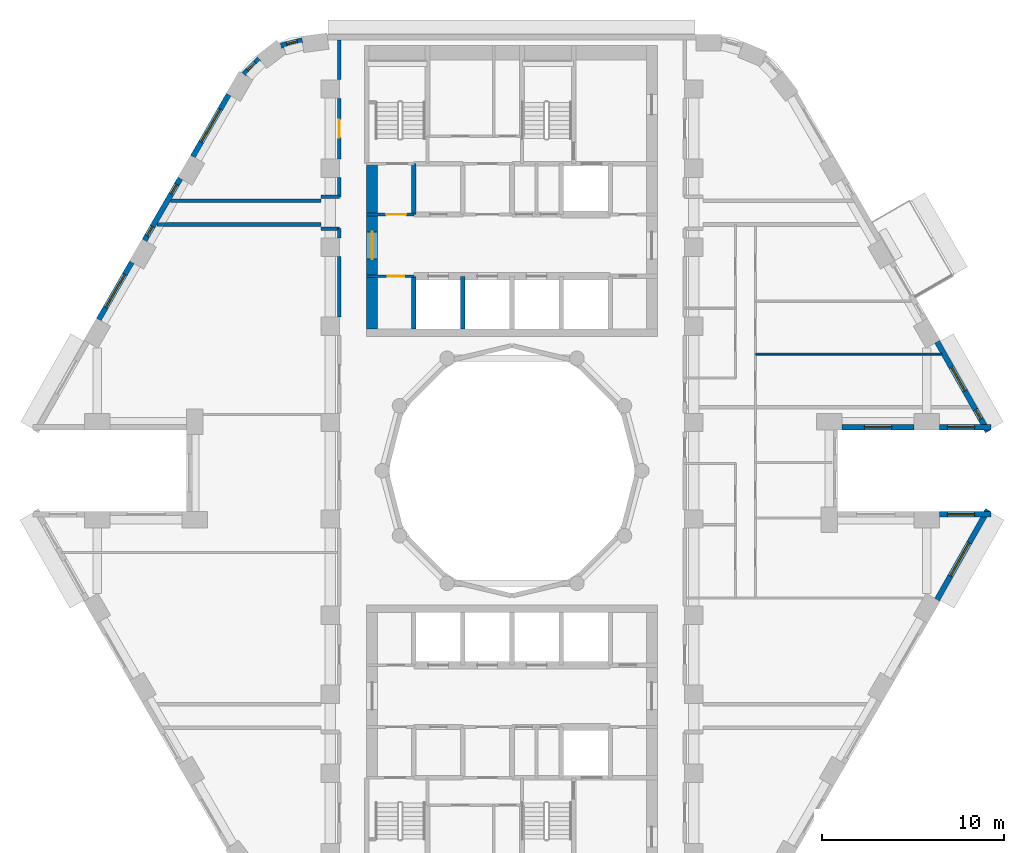
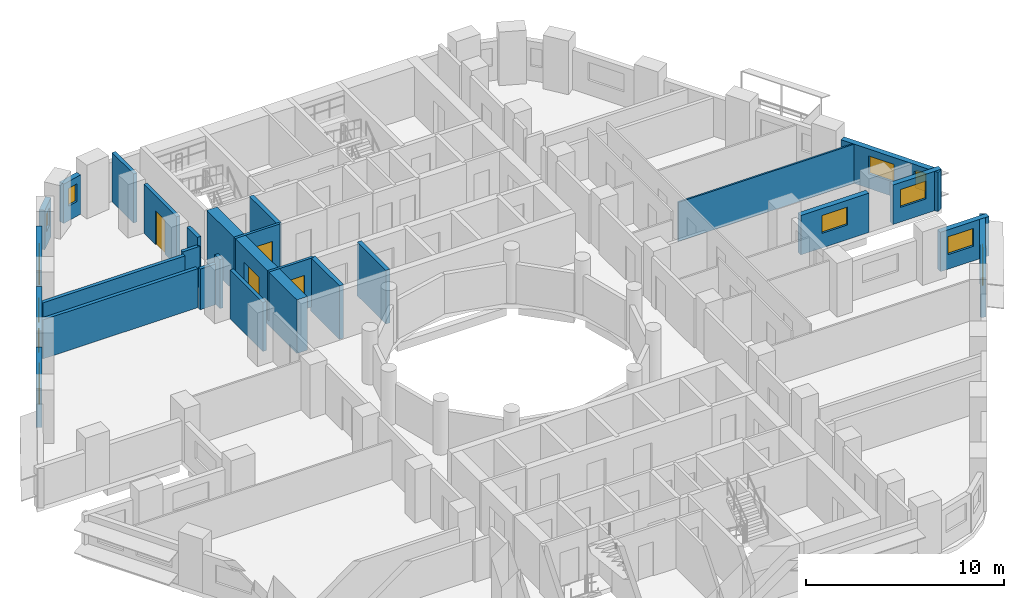
# One storey, part 6 of 13: 26 walls, 12 windows, 4 doors, 16 openings.
"""IFC4 building model written with IfcOpenShell, lengths in metres."""

from ifc_helpers import new_model, si_unit, direction, frame, frame_2d, origin, place, context, subcontext, project, spatial, rectangle, extrude, material, layer, layer_set, type_object, element, fill, save


model = new_model("IFC4")

# Units and contexts
model_context = context("Model", 3, precision=1e-05, world=origin(), true_north=direction((0.0, 1.0)))
body_context = subcontext(model_context, "Body", "Model", "MODEL_VIEW")
ifc_project = project(units=[si_unit("LENGTHUNIT", "METRE"), si_unit("AREAUNIT", "SQUARE_METRE"), si_unit("VOLUMEUNIT", "CUBIC_METRE"), si_unit("PLANEANGLEUNIT", "RADIAN"), si_unit("MASSUNIT", "GRAM", prefix="KILO")], contexts=[model_context])

# Site, building, storey
site_placement = place(None, origin())
site = spatial("IfcSite", under=ifc_project, at=site_placement, CompositionType="ELEMENT")
building_placement = place(site_placement, origin())
building = spatial("IfcBuilding", under=site, at=building_placement, Name="Nakaniwa Court", CompositionType="ELEMENT")
storey_placement = place(building_placement, frame((0.0, 0.0, 84.300048828125)))
storey = spatial("IfcBuildingStorey", under=building, at=storey_placement, Name="L21", CompositionType="ELEMENT", Elevation=84.300048828125)

# Walls
ifc_material_1 = material(Name="Acoustic double stud partition")
ifc_layer_1 = layer(ifc_material_1, 0.199951171875)
ifc_layer_set_1 = layer_set([ifc_layer_1], Name="Acoustic double stud partition")
wall_type_1 = type_object("IfcWallType", Name="Acoustic double stud partition 200", PredefinedType="PARTITIONING", material=ifc_layer_set_1)
wall_1_placement = place(storey_placement, frame((60.456787109375, 93.550048828125, 0.0), z_axis=(0.0, 0.0, 1.0), x_axis=(1.0, 0.0, 0.0)))
element("IfcWall", 1, at=wall_1_placement, inside=storey, type_object=wall_type_1, Name="Partition PW-081", PredefinedType="PARTITIONING", context=body_context, shape_type="SweptSolid", body=[
    extrude(rectangle(XDim=9.043212890625, YDim=0.199951171875, at=frame_2d((4.521484375, 0.0))), origin(), (0.0, 0.0, 1.0), 2.405029296875),
])
for number, where, z_axis, x_axis, name in (
    (2, (69.5, 93.324951171875, 0.0), (0.0, 0.0, 1.0), (1.0, 0.0, 0.0), "Partition PW-083"),
    (3, (69.5, 95.074951171875, 0.0), (0.0, 0.0, 1.0), (1.0, 0.0, 0.0), "Partition PW-085"),
):
    element("IfcWall", number, at=place(storey_placement, frame(where, z_axis=z_axis, x_axis=x_axis)), inside=storey, type_object=wall_type_1, Name=name, PredefinedType="PARTITIONING", context=body_context, shape_type="SweptSolid", body=[
        extrude(rectangle(XDim=1.0, YDim=0.199951171875, at=frame_2d((0.5, 0.0))), origin(), (0.0, 0.0, 1.0), 2.5048828125),
    ])
wall_2_placement = place(storey_placement, frame((61.207275390625, 94.85009765625, 0.0), z_axis=(0.0, 0.0, 1.0), x_axis=(1.0, 0.0, 0.0)))
element("IfcWall", 4, at=wall_2_placement, inside=storey, type_object=wall_type_1, Name="Partition PW-087", PredefinedType="PARTITIONING", context=body_context, shape_type="SweptSolid", body=[
    extrude(rectangle(XDim=8.292724609375, YDim=0.199951171875, at=frame_2d((4.146484375, 0.0))), origin(), (0.0, 0.0, 1.0), 2.405029296875),
])
wall_3_placement = place(storey_placement, frame((70.5, 88.467041015625, 0.0), z_axis=(0.0, 0.0, 1.0), x_axis=(0.0, 1.0, 0.0)))
element("IfcWall", 5, at=wall_3_placement, inside=storey, type_object=wall_type_1, Name="Partition PW-102", PredefinedType="PARTITIONING", context=body_context, shape_type="SweptSolid", body=[
    extrude(rectangle(XDim=3.31591796875, YDim=0.199951171875, at=frame_2d((1.657958984375, 0.0))), origin(), (0.0, 0.0, 1.0), 3.02490234375),
])
wall_4_placement = place(storey_placement, frame((70.5, 92.81689453125, 0.0), z_axis=(0.0, 0.0, 1.0), x_axis=(0.0, 1.0, 0.0)))
element("IfcWall", 6, at=wall_4_placement, inside=storey, type_object=wall_type_1, Name="Partition PW-103", PredefinedType="PARTITIONING", context=body_context, shape_type="SweptSolid", body=[
    extrude(rectangle(XDim=0.510986328125, YDim=0.199951171875, at=frame_2d((0.25537109375, 0.0))), origin(), (0.0, 0.0, 1.0), 3.02490234375),
])
wall_5_placement = place(storey_placement, frame((70.5, 95.072021484375, 0.0), z_axis=(0.0, 0.0, 1.0), x_axis=(0.0, 1.0, 0.0)))
element("IfcWall", 7, at=wall_5_placement, inside=storey, type_object=wall_type_1, Name="Partition PW-104", PredefinedType="PARTITIONING", context=body_context, shape_type="SweptSolid", body=[
    extrude(rectangle(XDim=1.06103515625, YDim=0.199951171875, at=frame_2d((0.530517578125, 0.0))), origin(), (0.0, 0.0, 1.0), 3.02490234375),
])

# Wall, opening, door
wall_6_placement = place(storey_placement, frame((70.5, 97.1669921875, 0.0), z_axis=(0.0, 0.0, 1.0), x_axis=(0.0, 1.0, 0.0)))
wall_6 = element("IfcWall", 8, at=wall_6_placement, inside=storey, type_object=wall_type_1, Name="Partition PW-105", PredefinedType="PARTITIONING", context=body_context, shape_type="SweptSolid", body=[
    extrude(rectangle(XDim=3.31591796875, YDim=0.199951171875, at=frame_2d((1.657958984375, 0.0))), origin(), (0.0, 0.0, 1.0), 3.02490234375),
])
opening_1_placement = place(wall_6_placement, frame((1.157958984375, 0.0, 0.0)))
opening_1 = element("IfcOpeningElement", 9, at=opening_1_placement, cuts=wall_6, Name="Opening D-02-07", PredefinedType="OPENING", context=body_context, shape_type="SweptSolid", body=[
    extrude(rectangle(XDim=1.0, YDim=2.10009765625, at=frame_2d((0.5, 1.050048828125))), frame((0.0, 0.10986328125, 0.0), z_axis=(0.0, -1.0, 0.0), x_axis=(1.0, 0.0, 0.0)), (0.0, 0.0, 1.0), 0.219970703125),
])
ifc_material_2 = material(Name="Solid core timber door set, black veneer", Category="wood")
door_type_1 = type_object("IfcDoorType", Name="Internal door 1000", OperationType="NOTDEFINED", PredefinedType="DOOR", material=ifc_material_2)
door_1_placement = place(opening_1_placement, origin())
door_1 = element("IfcDoor", 10, at=door_1_placement, inside=storey, type_object=door_type_1, Name="Door D-02-07 L21-045", OperationType="SINGLE_SWING_RIGHT", OverallHeight=2.10009765625, OverallWidth=1.0, PredefinedType="DOOR", context=body_context, shape_type="SweptSolid", body=[
    extrude(rectangle(XDim=1.0, YDim=2.10009765625, at=frame_2d((0.5, 1.050048828125))), frame((0.0, 0.02490234375, 0.0), z_axis=(0.0, -1.0, 0.0), x_axis=(1.0, 0.0, 0.0)), (0.0, 0.0, 1.0), 0.050048828125),
])
fill(opening_1, door_1)

# Wall
wall_7_placement = place(storey_placement, frame((70.5, 101.51708984375, 0.0), z_axis=(0.0, 0.0, 1.0), x_axis=(0.0, 1.0, 0.0)))
element("IfcWall", 11, at=wall_7_placement, inside=storey, type_object=wall_type_1, Name="Partition PW-106", PredefinedType="PARTITIONING", context=body_context, shape_type="SweptSolid", body=[
    extrude(rectangle(XDim=2.182861328125, YDim=0.199951171875, at=frame_2d((1.09130859375, 0.0))), origin(), (0.0, 0.0, 1.0), 3.02490234375),
])

# Wall, opening, window
ifc_material_3 = material(Name="Charcoal ceramic cladding")
ifc_layer_2 = layer(ifc_material_3, 0.02, Name="Ceramic cladding")
ifc_material_4 = material(Name="Ventilated air cavity")
ifc_layer_3 = layer(ifc_material_4, 0.04, ventilated=True, Name="Ventilated cavity")
ifc_material_5 = material(Name="Mineral wool insulation")
ifc_layer_4 = layer(ifc_material_5, 0.1, Name="Insulation")
ifc_material_6 = material(Name="Cement bonded sheathing board")
ifc_layer_5 = layer(ifc_material_6, 0.012, Name="Sheathing")
ifc_material_7 = material(Name="Cold-formed galvanised stud frame with mineral wool infill")
ifc_layer_6 = layer(ifc_material_7, 0.1, Name="Stud frame")
ifc_material_8 = material(Name="Fire-rated gypsum plasterboard lining")
ifc_layer_7 = layer(ifc_material_8, 0.028, Name="Lining")
ifc_layer_set_2 = layer_set([ifc_layer_2, ifc_layer_3, ifc_layer_4, ifc_layer_5, ifc_layer_6, ifc_layer_7], Name="Charcoal ceramic faced external wall system")
wall_type_2 = type_object("IfcWallType", Name="Black ceramic faced external wall 300", PredefinedType="SOLIDWALL", material=ifc_layer_set_2)
wall_8_placement = place(storey_placement, frame((98.154296875, 82.39990234375, 0.0), z_axis=(0.0, 0.0, 1.0), x_axis=(1.0, 0.0, 0.0)))
wall_8 = element("IfcWall", 12, at=wall_8_placement, inside=storey, type_object=wall_type_2, Name="L21 external wall 00", PredefinedType="SOLIDWALL", context=body_context, shape_type="SweptSolid", body=[
    extrude(rectangle(XDim=3.97265625, YDim=0.300048828125, at=frame_2d((1.986328125, 0.0))), origin(), (0.0, 0.0, 1.0), 2.425048828125),
])
opening_2_placement = place(wall_8_placement, frame((1.236328125, 0.0, 0.89990234375)))
opening_2 = element("IfcOpeningElement", 13, at=opening_2_placement, cuts=wall_8, Name="Opening W5.01", PredefinedType="OPENING", context=body_context, shape_type="SweptSolid", body=[
    extrude(rectangle(XDim=1.5, YDim=1.10009765625, at=frame_2d((0.75, 0.550048828125))), frame((0.0, 0.159912109375, 0.0), z_axis=(0.0, -1.0, 0.0), x_axis=(1.0, 0.0, 0.0)), (0.0, 0.0, 1.0), 0.320068359375),
])
ifc_material_9 = material(Name="Black anodised aluminium frame with dark low-E laminated double glazing", Category="aluminium")
window_type_1 = type_object("IfcWindowType", Name="Dark glass window 1500x1100 sill 900", PartitioningType="SINGLE_PANEL", PredefinedType="WINDOW", material=ifc_material_9)
window_1_placement = place(opening_2_placement, origin())
window_1 = element("IfcWindow", 14, at=window_1_placement, inside=storey, type_object=window_type_1, Name="L21 bedroom window 00-0", OverallHeight=1.10009765625, OverallWidth=1.5, PartitioningType="SINGLE_PANEL", PredefinedType="WINDOW", context=body_context, shape_type="SweptSolid", body=[
    extrude(rectangle(XDim=1.5, YDim=1.10009765625, at=frame_2d((0.75, 0.550048828125))), frame((0.0, 0.030029296875, 0.0), z_axis=(0.0, -1.0, 0.0), x_axis=(1.0, 0.0, 0.0)), (0.0, 0.0, 1.0), 0.06005859375),
])
fill(opening_2, window_1)

wall_9_placement = place(storey_placement, frame((103.518798828125, 82.39990234375, 0.0), z_axis=(0.0, 0.0, 1.0), x_axis=(1.0, 0.0, 0.0)))
wall_9 = element("IfcWall", 15, at=wall_9_placement, inside=storey, type_object=wall_type_2, Name="L21 external wall 01", PredefinedType="SOLIDWALL", context=body_context, shape_type="SweptSolid", body=[
    extrude(rectangle(XDim=2.837890625, YDim=0.300048828125, at=frame_2d((1.4189453125, 0.0))), origin(), (0.0, 0.0, 1.0), 2.425048828125),
])
opening_3_placement = place(wall_9_placement, frame((0.44384765625, 0.0, 0.89990234375)))
opening_3 = element("IfcOpeningElement", 16, at=opening_3_placement, cuts=wall_9, Name="Opening W5.02", PredefinedType="OPENING", context=body_context, shape_type="SweptSolid", body=[
    extrude(rectangle(XDim=1.5, YDim=1.10009765625, at=frame_2d((0.75, 0.550048828125))), frame((0.0, 0.159912109375, 0.0), z_axis=(0.0, -1.0, 0.0), x_axis=(1.0, 0.0, 0.0)), (0.0, 0.0, 1.0), 0.320068359375),
])
window_2_placement = place(opening_3_placement, origin())
window_2 = element("IfcWindow", 17, at=window_2_placement, inside=storey, type_object=window_type_1, Name="L21 bedroom window 01-0", OverallHeight=1.10009765625, OverallWidth=1.5, PartitioningType="SINGLE_PANEL", PredefinedType="WINDOW", context=body_context, shape_type="SweptSolid", body=[
    extrude(rectangle(XDim=1.5, YDim=1.10009765625, at=frame_2d((0.75, 0.550048828125))), frame((0.0, 0.030029296875, 0.0), z_axis=(0.0, -1.0, 0.0), x_axis=(1.0, 0.0, 0.0)), (0.0, 0.0, 1.0), 0.06005859375),
])
fill(opening_3, window_2)

# Wall, openings, windows
wall_10_placement = place(storey_placement, frame((106.18603515625, 82.1533203125, 0.0), z_axis=(0.0, 0.0, 1.0), x_axis=(-0.492456858874, 0.870336855561, 0.0)))
wall_10 = element("IfcWall", 18, at=wall_10_placement, inside=storey, type_object=wall_type_2, Name="L21 external wall 02", PredefinedType="SOLIDWALL", context=body_context, shape_type="SweptSolid", body=[
    extrude(rectangle(XDim=5.676513671875, YDim=0.300048828125, at=frame_2d((2.83837890625, 0.0))), origin(), (0.0, 0.0, 1.0), 2.425048828125),
])
opening_4_placement = place(wall_10_placement, frame((0.797607421875, 0.0, 0.89990234375)))
opening_4 = element("IfcOpeningElement", 19, at=opening_4_placement, cuts=wall_10, Name="Opening W8.03", PredefinedType="OPENING", context=body_context, shape_type="SweptSolid", body=[
    extrude(rectangle(XDim=0.60009765625, YDim=1.10009765625, at=frame_2d((0.300048828125, 0.550048828125))), frame((0.0, 0.159912109375, 0.0), z_axis=(0.0, -1.0, 0.0), x_axis=(1.0, 0.0, 0.0)), (0.0, 0.0, 1.0), 0.320068359375),
])
opening_5_placement = place(wall_10_placement, frame((2.569580078125, 0.0, 0.89990234375)))
opening_5 = element("IfcOpeningElement", 20, at=opening_5_placement, cuts=wall_10, Name="Opening W5.04", PredefinedType="OPENING", context=body_context, shape_type="SweptSolid", body=[
    extrude(rectangle(XDim=1.5, YDim=1.10009765625, at=frame_2d((0.75, 0.550048828125))), frame((0.0, 0.159912109375, 0.0), z_axis=(0.0, -1.0, 0.0), x_axis=(1.0, 0.0, 0.0)), (0.0, 0.0, 1.0), 0.320068359375),
])
window_3_placement = place(opening_5_placement, origin())
window_3 = element("IfcWindow", 21, at=window_3_placement, inside=storey, type_object=window_type_1, Name="L21 bedroom window 02-1", OverallHeight=1.10009765625, OverallWidth=1.5, PartitioningType="SINGLE_PANEL", PredefinedType="WINDOW", context=body_context, shape_type="SweptSolid", body=[
    extrude(rectangle(XDim=1.5, YDim=1.10009765625, at=frame_2d((0.75, 0.550048828125))), frame((0.0, 0.030029296875, 0.0), z_axis=(0.0, -1.0, 0.0), x_axis=(1.0, 0.0, 0.0)), (0.0, 0.0, 1.0), 0.06005859375),
])
fill(opening_5, window_3)
window_type_2 = type_object("IfcWindowType", Name="Dark glass window 600x1100 sill 900", PartitioningType="SINGLE_PANEL", PredefinedType="WINDOW", material=ifc_material_9)
window_4_placement = place(opening_4_placement, origin())
window_4 = element("IfcWindow", 22, at=window_4_placement, inside=storey, type_object=window_type_2, Name="L21 bedroom window 02-0", OverallHeight=1.10009765625, OverallWidth=0.60009765625, PartitioningType="SINGLE_PANEL", PredefinedType="WINDOW", context=body_context, shape_type="SweptSolid", body=[
    extrude(rectangle(XDim=0.60009765625, YDim=1.10009765625, at=frame_2d((0.300048828125, 0.550048828125))), frame((0.0, 0.030029296875, 0.0), z_axis=(0.0, -1.0, 0.0), x_axis=(1.0, 0.0, 0.0)), (0.0, 0.0, 1.0), 0.06005859375),
])
fill(opening_4, window_4)

# Wall, opening, window
wall_11_placement = place(storey_placement, frame((68.455810546875, 103.68310546875, 0.0), z_axis=(0.0, 0.0, 1.0), x_axis=(-0.969485113966, -0.245150186208, 0.0)))
wall_11 = element("IfcWall", 23, at=wall_11_placement, inside=storey, type_object=wall_type_2, Name="L21 external wall 09", PredefinedType="SOLIDWALL", context=body_context, shape_type="SweptSolid", body=[
    extrude(rectangle(XDim=1.2080078125, YDim=0.300048828125, at=frame_2d((0.60400390625, 0.0))), origin(), (0.0, 0.0, 1.0), 2.425048828125),
])
opening_6_placement = place(wall_11_placement, frame((0.279541015625, 0.0, 0.89990234375)))
opening_6 = element("IfcOpeningElement", 24, at=opening_6_placement, cuts=wall_11, Name="Opening W8.10", PredefinedType="OPENING", context=body_context, shape_type="SweptSolid", body=[
    extrude(rectangle(XDim=0.60009765625, YDim=1.10009765625, at=frame_2d((0.300048828125, 0.550048828125))), frame((0.0, 0.159912109375, 0.0), z_axis=(0.0, -1.0, 0.0), x_axis=(1.0, 0.0, 0.0)), (0.0, 0.0, 1.0), 0.320068359375),
])
window_5_placement = place(opening_6_placement, origin())
window_5 = element("IfcWindow", 25, at=window_5_placement, inside=storey, type_object=window_type_2, Name="L21 habitable room window 09-0", OverallHeight=1.10009765625, OverallWidth=0.60009765625, PartitioningType="SINGLE_PANEL", PredefinedType="WINDOW", context=body_context, shape_type="SweptSolid", body=[
    extrude(rectangle(XDim=0.60009765625, YDim=1.10009765625, at=frame_2d((0.300048828125, 0.550048828125))), frame((0.0, 0.030029296875, 0.0), z_axis=(0.0, -1.0, 0.0), x_axis=(1.0, 0.0, 0.0)), (0.0, 0.0, 1.0), 0.06005859375),
])
fill(opening_6, window_5)

wall_12_placement = place(storey_placement, frame((66.085205078125, 102.66259765625, 0.0), z_axis=(0.0, 0.0, 1.0), x_axis=(-0.708951665509, -0.705257070842, 0.0)))
wall_12 = element("IfcWall", 26, at=wall_12_placement, inside=storey, type_object=wall_type_2, Name="L21 external wall 10", PredefinedType="SOLIDWALL", context=body_context, shape_type="SweptSolid", body=[
    extrude(rectangle(XDim=1.189453125, YDim=0.300048828125, at=frame_2d((0.5947265625, 0.0))), origin(), (0.0, 0.0, 1.0), 2.425048828125),
])
opening_7_placement = place(wall_12_placement, frame((0.284423828125, 0.0, 0.89990234375)))
opening_7 = element("IfcOpeningElement", 27, at=opening_7_placement, cuts=wall_12, Name="Opening W8.11", PredefinedType="OPENING", context=body_context, shape_type="SweptSolid", body=[
    extrude(rectangle(XDim=0.60009765625, YDim=1.10009765625, at=frame_2d((0.300048828125, 0.550048828125))), frame((0.0, 0.159912109375, 0.0), z_axis=(0.0, -1.0, 0.0), x_axis=(1.0, 0.0, 0.0)), (0.0, 0.0, 1.0), 0.320068359375),
])
window_6_placement = place(opening_7_placement, origin())
window_6 = element("IfcWindow", 28, at=window_6_placement, inside=storey, type_object=window_type_2, Name="L21 habitable room window 10-0", OverallHeight=1.10009765625, OverallWidth=0.60009765625, PartitioningType="SINGLE_PANEL", PredefinedType="WINDOW", context=body_context, shape_type="SweptSolid", body=[
    extrude(rectangle(XDim=0.60009765625, YDim=1.10009765625, at=frame_2d((0.300048828125, 0.550048828125))), frame((0.0, 0.030029296875, 0.0), z_axis=(0.0, -1.0, 0.0), x_axis=(1.0, 0.0, 0.0)), (0.0, 0.0, 1.0), 0.06005859375),
])
fill(opening_7, window_6)

wall_13_placement = place(storey_placement, frame((64.40966796875, 100.69677734375, 0.0), z_axis=(0.0, 0.0, 1.0), x_axis=(-0.500003583557, -0.866023334807, 0.0)))
wall_13 = element("IfcWall", 29, at=wall_13_placement, inside=storey, type_object=wall_type_2, Name="L21 external wall 11", PredefinedType="SOLIDWALL", context=body_context, shape_type="SweptSolid", body=[
    extrude(rectangle(XDim=3.93408203125, YDim=0.300048828125, at=frame_2d((1.967041015625, 0.0))), origin(), (0.0, 0.0, 1.0), 2.425048828125),
])
opening_8_placement = place(wall_13_placement, frame((0.9169921875, 0.0, 0.89990234375)))
opening_8 = element("IfcOpeningElement", 30, at=opening_8_placement, cuts=wall_13, Name="Opening W7.12", PredefinedType="OPENING", context=body_context, shape_type="SweptSolid", body=[
    extrude(rectangle(XDim=2.10009765625, YDim=1.10009765625, at=frame_2d((1.050048828125, 0.550048828125))), frame((0.0, 0.159912109375, 0.0), z_axis=(0.0, -1.0, 0.0), x_axis=(1.0, 0.0, 0.0)), (0.0, 0.0, 1.0), 0.320068359375),
])
window_type_3 = type_object("IfcWindowType", Name="Dark glass window 2100x1100 sill 900", PartitioningType="SINGLE_PANEL", PredefinedType="WINDOW", material=ifc_material_9)
window_7_placement = place(opening_8_placement, origin())
window_7 = element("IfcWindow", 31, at=window_7_placement, inside=storey, type_object=window_type_3, Name="L21 habitable room window 11-0", OverallHeight=1.10009765625, OverallWidth=2.10009765625, PartitioningType="SINGLE_PANEL", PredefinedType="WINDOW", context=body_context, shape_type="SweptSolid", body=[
    extrude(rectangle(XDim=2.10009765625, YDim=1.10009765625, at=frame_2d((1.050048828125, 0.550048828125))), frame((0.0, 0.030029296875, 0.0), z_axis=(0.0, -1.0, 0.0), x_axis=(1.0, 0.0, 0.0)), (0.0, 0.0, 1.0), 0.06005859375),
])
fill(opening_8, window_7)

# Wall, openings, windows
wall_14_placement = place(storey_placement, frame((61.74658203125, 96.08447265625, 0.0), z_axis=(0.0, 0.0, 1.0), x_axis=(-0.499957037901, -0.866050206543, 0.0)))
wall_14 = element("IfcWall", 32, at=wall_14_placement, inside=storey, type_object=wall_type_2, Name="L21 external wall 12", PredefinedType="SOLIDWALL", context=body_context, shape_type="SweptSolid", body=[
    extrude(rectangle(XDim=3.933837890625, YDim=0.300048828125, at=frame_2d((1.966796875, 0.0))), origin(), (0.0, 0.0, 1.0), 2.425048828125),
])
opening_9_placement = place(wall_14_placement, frame((0.388671875, 0.0, 0.89990234375)))
opening_9 = element("IfcOpeningElement", 33, at=opening_9_placement, cuts=wall_14, Name="Opening W8.13", PredefinedType="OPENING", context=body_context, shape_type="SweptSolid", body=[
    extrude(rectangle(XDim=0.60009765625, YDim=1.10009765625, at=frame_2d((0.300048828125, 0.550048828125))), frame((0.0, 0.159912109375, 0.0), z_axis=(0.0, -1.0, 0.0), x_axis=(1.0, 0.0, 0.0)), (0.0, 0.0, 1.0), 0.320068359375),
])
opening_10_placement = place(wall_14_placement, frame((3.05615234375, 0.0, 0.89990234375)))
opening_10 = element("IfcOpeningElement", 34, at=opening_10_placement, cuts=wall_14, Name="Opening W8.14", PredefinedType="OPENING", context=body_context, shape_type="SweptSolid", body=[
    extrude(rectangle(XDim=0.60009765625, YDim=1.10009765625, at=frame_2d((0.300048828125, 0.550048828125))), frame((0.0, 0.159912109375, 0.0), z_axis=(0.0, -1.0, 0.0), x_axis=(1.0, 0.0, 0.0)), (0.0, 0.0, 1.0), 0.320068359375),
])
window_8_placement = place(opening_9_placement, origin())
window_8 = element("IfcWindow", 35, at=window_8_placement, inside=storey, type_object=window_type_2, Name="L21 habitable room window 12-0", OverallHeight=1.10009765625, OverallWidth=0.60009765625, PartitioningType="SINGLE_PANEL", PredefinedType="WINDOW", context=body_context, shape_type="SweptSolid", body=[
    extrude(rectangle(XDim=0.60009765625, YDim=1.10009765625, at=frame_2d((0.300048828125, 0.550048828125))), frame((0.0, 0.030029296875, 0.0), z_axis=(0.0, -1.0, 0.0), x_axis=(1.0, 0.0, 0.0)), (0.0, 0.0, 1.0), 0.06005859375),
])
fill(opening_9, window_8)
window_9_placement = place(opening_10_placement, origin())
window_9 = element("IfcWindow", 36, at=window_9_placement, inside=storey, type_object=window_type_2, Name="L21 habitable room window 12-2", OverallHeight=1.10009765625, OverallWidth=0.60009765625, PartitioningType="SINGLE_PANEL", PredefinedType="WINDOW", context=body_context, shape_type="SweptSolid", body=[
    extrude(rectangle(XDim=0.60009765625, YDim=1.10009765625, at=frame_2d((0.300048828125, 0.550048828125))), frame((0.0, 0.030029296875, 0.0), z_axis=(0.0, -1.0, 0.0), x_axis=(1.0, 0.0, 0.0)), (0.0, 0.0, 1.0), 0.06005859375),
])
fill(opening_10, window_9)

# Wall, opening, window
wall_15_placement = place(storey_placement, frame((59.083740234375, 91.471923828125, 0.0), z_axis=(0.0, 0.0, 1.0), x_axis=(-0.500009139881, -0.866020126807, 0.0)))
wall_15 = element("IfcWall", 37, at=wall_15_placement, inside=storey, type_object=wall_type_2, Name="L21 external wall 13", PredefinedType="SOLIDWALL", context=body_context, shape_type="SweptSolid", body=[
    extrude(rectangle(XDim=3.63671875, YDim=0.300048828125, at=frame_2d((1.818359375, 0.0))), origin(), (0.0, 0.0, 1.0), 2.425048828125),
])
opening_11_placement = place(wall_15_placement, frame((0.768310546875, 0.0, 0.89990234375)))
opening_11 = element("IfcOpeningElement", 38, at=opening_11_placement, cuts=wall_15, Name="Opening W7.15", PredefinedType="OPENING", context=body_context, shape_type="SweptSolid", body=[
    extrude(rectangle(XDim=2.10009765625, YDim=1.10009765625, at=frame_2d((1.050048828125, 0.550048828125))), frame((0.0, 0.159912109375, 0.0), z_axis=(0.0, -1.0, 0.0), x_axis=(1.0, 0.0, 0.0)), (0.0, 0.0, 1.0), 0.320068359375),
])
window_10_placement = place(opening_11_placement, origin())
window_10 = element("IfcWindow", 39, at=window_10_placement, inside=storey, type_object=window_type_3, Name="L21 habitable room window 13-0", OverallHeight=1.10009765625, OverallWidth=2.10009765625, PartitioningType="SINGLE_PANEL", PredefinedType="WINDOW", context=body_context, shape_type="SweptSolid", body=[
    extrude(rectangle(XDim=2.10009765625, YDim=1.10009765625, at=frame_2d((1.050048828125, 0.550048828125))), frame((0.0, 0.030029296875, 0.0), z_axis=(0.0, -1.0, 0.0), x_axis=(1.0, 0.0, 0.0)), (0.0, 0.0, 1.0), 0.06005859375),
])
fill(opening_11, window_10)

wall_16_placement = place(storey_placement, frame((103.390625, 72.90625, 0.0), z_axis=(0.0, 0.0, 1.0), x_axis=(0.492456858874, 0.870336855561, 0.0)))
wall_16 = element("IfcWall", 40, at=wall_16_placement, inside=storey, type_object=wall_type_2, Name="L21 external wall 32", PredefinedType="SOLIDWALL", context=body_context, shape_type="SweptSolid", body=[
    extrude(rectangle(XDim=5.676513671875, YDim=0.300048828125, at=frame_2d((2.83837890625, 0.0))), origin(), (0.0, 0.0, 1.0), 2.425048828125),
])
opening_12_placement = place(wall_16_placement, frame((1.498046875, 0.0, 0.89990234375)))
opening_12 = element("IfcOpeningElement", 41, at=opening_12_placement, cuts=wall_16, Name="Opening W7.32", PredefinedType="OPENING", context=body_context, shape_type="SweptSolid", body=[
    extrude(rectangle(XDim=2.10009765625, YDim=1.10009765625, at=frame_2d((1.050048828125, 0.550048828125))), frame((0.0, 0.159912109375, 0.0), z_axis=(0.0, -1.0, 0.0), x_axis=(1.0, 0.0, 0.0)), (0.0, 0.0, 1.0), 0.320068359375),
])
window_11_placement = place(opening_12_placement, origin())
window_11 = element("IfcWindow", 42, at=window_11_placement, inside=storey, type_object=window_type_3, Name="L21 living window 32-0", OverallHeight=1.10009765625, OverallWidth=2.10009765625, PartitioningType="SINGLE_PANEL", PredefinedType="WINDOW", context=body_context, shape_type="SweptSolid", body=[
    extrude(rectangle(XDim=2.10009765625, YDim=1.10009765625, at=frame_2d((1.050048828125, 0.550048828125))), frame((0.0, 0.030029296875, 0.0), z_axis=(0.0, -1.0, 0.0), x_axis=(1.0, 0.0, 0.0)), (0.0, 0.0, 1.0), 0.06005859375),
])
fill(opening_12, window_11)

wall_17_placement = place(storey_placement, frame((106.356689453125, 77.60009765625, 0.0), z_axis=(0.0, 0.0, 1.0), x_axis=(-1.0, 0.0, 0.0)))
wall_17 = element("IfcWall", 43, at=wall_17_placement, inside=storey, type_object=wall_type_2, Name="L21 external wall 33", PredefinedType="SOLIDWALL", context=body_context, shape_type="SweptSolid", body=[
    extrude(rectangle(XDim=2.837890625, YDim=0.300048828125, at=frame_2d((1.4189453125, 0.0))), origin(), (0.0, 0.0, 1.0), 2.425048828125),
])
opening_13_placement = place(wall_17_placement, frame((0.901611328125, 0.0, 0.89990234375)))
opening_13 = element("IfcOpeningElement", 44, at=opening_13_placement, cuts=wall_17, Name="Opening W5.33", PredefinedType="OPENING", context=body_context, shape_type="SweptSolid", body=[
    extrude(rectangle(XDim=1.5, YDim=1.10009765625, at=frame_2d((0.75, 0.550048828125))), frame((0.0, 0.159912109375, 0.0), z_axis=(0.0, -1.0, 0.0), x_axis=(1.0, 0.0, 0.0)), (0.0, 0.0, 1.0), 0.320068359375),
])
window_12_placement = place(opening_13_placement, origin())
window_12 = element("IfcWindow", 45, at=window_12_placement, inside=storey, type_object=window_type_1, Name="L21 living window 33-0", OverallHeight=1.10009765625, OverallWidth=1.5, PartitioningType="SINGLE_PANEL", PredefinedType="WINDOW", context=body_context, shape_type="SweptSolid", body=[
    extrude(rectangle(XDim=1.5, YDim=1.10009765625, at=frame_2d((0.75, 0.550048828125))), frame((0.0, 0.030029296875, 0.0), z_axis=(0.0, -1.0, 0.0), x_axis=(1.0, 0.0, 0.0)), (0.0, 0.0, 1.0), 0.06005859375),
])
fill(opening_13, window_12)

# Wall, opening, door
ifc_material_10 = material(Name="Blockwork partition", Category="masonry")
ifc_layer_8 = layer(ifc_material_10, 0.14990234375)
ifc_layer_set_3 = layer_set([ifc_layer_8], Name="Blockwork partition")
wall_type_3 = type_object("IfcWallType", Name="Blockwork partition 150", PredefinedType="PARTITIONING", material=ifc_layer_set_3)
wall_18_placement = place(storey_placement, frame((74.60009765625, 90.699951171875, 0.0), z_axis=(0.0, 0.0, 1.0), x_axis=(-1.0, 0.0, 0.0)))
wall_18 = element("IfcWall", 46, at=wall_18_placement, inside=storey, type_object=wall_type_3, Name="Partition PW-003", PredefinedType="PARTITIONING", context=body_context, shape_type="SweptSolid", body=[
    extrude(rectangle(XDim=2.60009765625, YDim=0.14990234375, at=frame_2d((1.300048828125, 0.0))), origin(), (0.0, 0.0, 1.0), 3.02490234375),
])
opening_14_placement = place(wall_18_placement, frame((0.52490234375, 0.0, 0.0)))
opening_14 = element("IfcOpeningElement", 47, at=opening_14_placement, cuts=wall_18, Name="Opening D-05-01", PredefinedType="OPENING", context=body_context, shape_type="SweptSolid", body=[
    extrude(rectangle(XDim=0.89990234375, YDim=2.10009765625, at=frame_2d((0.449951171875, 1.050048828125))), frame((0.0, 0.0849609375, 0.0), z_axis=(0.0, -1.0, 0.0), x_axis=(1.0, 0.0, 0.0)), (0.0, 0.0, 1.0), 0.169921875),
])
ifc_material_11 = material(Name="Fire rated steel door set", Category="steel")
door_type_2 = type_object("IfcDoorType", Name="Service room door 900", OperationType="NOTDEFINED", PredefinedType="DOOR", material=ifc_material_11)
door_2_placement = place(opening_14_placement, origin())
door_2 = element("IfcDoor", 48, at=door_2_placement, inside=storey, type_object=door_type_2, Name="Door D-05-01 L21-001", OperationType="SINGLE_SWING_RIGHT", OverallHeight=2.10009765625, OverallWidth=0.89990234375, PredefinedType="DOOR", context=body_context, shape_type="SweptSolid", body=[
    extrude(rectangle(XDim=0.89990234375, YDim=2.10009765625, at=frame_2d((0.449951171875, 1.050048828125))), frame((0.0, 0.02490234375, 0.0), z_axis=(0.0, -1.0, 0.0), x_axis=(1.0, 0.0, 0.0)), (0.0, 0.0, 1.0), 0.050048828125),
])
fill(opening_14, door_2)

wall_19_placement = place(storey_placement, frame((72.0, 94.10009765625, 0.0), z_axis=(0.0, 0.0, 1.0), x_axis=(1.0, 0.0, 0.0)))
wall_19 = element("IfcWall", 49, at=wall_19_placement, inside=storey, type_object=wall_type_3, Name="Partition PW-016", PredefinedType="PARTITIONING", context=body_context, shape_type="SweptSolid", body=[
    extrude(rectangle(XDim=2.60302734375, YDim=0.14990234375, at=frame_2d((1.301513671875, 0.0))), origin(), (0.0, 0.0, 1.0), 3.02490234375),
])
opening_15_placement = place(wall_19_placement, frame((1.074951171875, 0.0, 0.0)))
opening_15 = element("IfcOpeningElement", 50, at=opening_15_placement, cuts=wall_19, Name="Opening D-08-01", PredefinedType="OPENING", context=body_context, shape_type="SweptSolid", body=[
    extrude(rectangle(XDim=1.10009765625, YDim=2.10009765625, at=frame_2d((0.550048828125, 1.050048828125))), frame((0.0, 0.0849609375, 0.0), z_axis=(0.0, -1.0, 0.0), x_axis=(1.0, 0.0, 0.0)), (0.0, 0.0, 1.0), 0.169921875),
])
door_type_3 = type_object("IfcDoorType", Name="Stair lobby door 1100", OperationType="NOTDEFINED", PredefinedType="DOOR", material=ifc_material_11)
door_3_placement = place(opening_15_placement, origin())
door_3 = element("IfcDoor", 51, at=door_3_placement, inside=storey, type_object=door_type_3, Name="Door D-08-01 L21-003", OperationType="SINGLE_SWING_RIGHT", OverallHeight=2.10009765625, OverallWidth=1.10009765625, PredefinedType="DOOR", context=body_context, shape_type="SweptSolid", body=[
    extrude(rectangle(XDim=1.10009765625, YDim=2.10009765625, at=frame_2d((0.550048828125, 1.050048828125))), frame((0.0, 0.02490234375, 0.0), z_axis=(0.0, -1.0, 0.0), x_axis=(1.0, 0.0, 0.0)), (0.0, 0.0, 1.0), 0.050048828125),
])
fill(opening_15, door_3)

ifc_material_12 = material(Name="Concrete C80/100", Category="concrete")
ifc_layer_9 = layer(ifc_material_12, 0.60009765625)
ifc_layer_set_4 = layer_set([ifc_layer_9], Name="Concrete C80/100")
wall_type_4 = type_object("IfcWallType", Name="Concrete core side wall 600 C80", PredefinedType="SHEAR", material=ifc_layer_set_4)
wall_20_placement = place(storey_placement, frame((72.300048828125, 87.800048828125, -0.275146484375), z_axis=(0.0, 0.0, 1.0), x_axis=(0.0, 1.0, 0.0)))
wall_20 = element("IfcWall", 52, at=wall_20_placement, inside=storey, type_object=wall_type_4, Name="Core wall SW-04", PredefinedType="SHEAR", context=body_context, shape_type="SweptSolid", body=[
    extrude(rectangle(XDim=9.099853515625, YDim=0.60009765625, at=frame_2d((4.5498046875, 0.0))), origin(), (0.0, 0.0, 1.0), 3.300048828125),
])
opening_16_placement = place(wall_20_placement, frame((3.85009765625, 0.0, 0.27490234375)))
opening_16 = element("IfcOpeningElement", 53, at=opening_16_placement, cuts=wall_20, Name="Opening D-07-02", PredefinedType="OPENING", context=body_context, shape_type="SweptSolid", body=[
    extrude(rectangle(XDim=1.5, YDim=2.10009765625, at=frame_2d((0.75, 1.050048828125))), frame((0.0, 0.31005859375, 0.0), z_axis=(0.0, -1.0, 0.0), x_axis=(1.0, 0.0, 0.0)), (0.0, 0.0, 1.0), 0.6201171875),
])
ifc_material_13 = material(Name="Glazed fire rated steel double door set", Category="steel")
door_type_4 = type_object("IfcDoorType", Name="Lobby double door 1500", OperationType="NOTDEFINED", PredefinedType="DOOR", material=ifc_material_13)
door_4_placement = place(opening_16_placement, origin())
door_4 = element("IfcDoor", 54, at=door_4_placement, inside=storey, type_object=door_type_4, Name="Door D-07-02 L21-048", OperationType="DOUBLE_DOOR_SINGLE_SWING", OverallHeight=2.10009765625, OverallWidth=1.5, PredefinedType="DOOR", context=body_context, shape_type="SweptSolid", body=[
    extrude(rectangle(XDim=1.5, YDim=2.10009765625, at=frame_2d((0.75, 1.050048828125))), frame((0.0, 0.02490234375, 0.0), z_axis=(0.0, -1.0, 0.0), x_axis=(1.0, 0.0, 0.0)), (0.0, 0.0, 1.0), 0.050048828125),
])
fill(opening_16, door_4)

# Walls
ifc_layer_10 = layer(ifc_material_12, 0.25)
ifc_layer_set_5 = layer_set([ifc_layer_10], Name="Concrete C80/100")
wall_type_5 = type_object("IfcWallType", Name="Concrete shaft wall 250 C80", PredefinedType="SHEAR", material=ifc_layer_set_5)
wall_21_placement = place(storey_placement, frame((74.60009765625, 87.800048828125, -0.275146484375), z_axis=(0.0, 0.0, 1.0), x_axis=(0.0, 1.0, 0.0)))
element("IfcWall", 55, at=wall_21_placement, inside=storey, type_object=wall_type_5, Name="Core wall SW-01", PredefinedType="SHEAR", context=body_context, shape_type="SweptSolid", body=[
    extrude(rectangle(XDim=2.89990234375, YDim=0.25, at=frame_2d((1.449951171875, 0.0))), origin(), (0.0, 0.0, 1.0), 3.300048828125),
])
wall_22_placement = place(storey_placement, frame((74.60009765625, 94.10009765625, -0.275146484375), z_axis=(0.0, 0.0, 1.0), x_axis=(0.0, 1.0, 0.0)))
element("IfcWall", 56, at=wall_22_placement, inside=storey, type_object=wall_type_5, Name="Core wall SW-02", PredefinedType="SHEAR", context=body_context, shape_type="SweptSolid", body=[
    extrude(rectangle(XDim=2.7998046875, YDim=0.25, at=frame_2d((1.39990234375, 0.0))), origin(), (0.0, 0.0, 1.0), 3.300048828125),
])
wall_23_placement = place(storey_placement, frame((77.300048828125, 87.800048828125, -0.275146484375), z_axis=(0.0, 0.0, 1.0), x_axis=(0.0, 1.0, 0.0)))
element("IfcWall", 57, at=wall_23_placement, inside=storey, type_object=wall_type_5, Name="Core wall SW-05", PredefinedType="SHEAR", context=body_context, shape_type="SweptSolid", body=[
    extrude(rectangle(XDim=2.89990234375, YDim=0.25, at=frame_2d((1.449951171875, 0.0))), origin(), (0.0, 0.0, 1.0), 3.300048828125),
])
ifc_material_14 = material(Name="Single stud plasterboard partition")
ifc_layer_11 = layer(ifc_material_14, 0.10009765625)
ifc_layer_set_6 = layer_set([ifc_layer_11], Name="Single stud plasterboard partition")
wall_type_6 = type_object("IfcWallType", Name="Single stud plasterboard partition 100", PredefinedType="PARTITIONING", material=ifc_layer_set_6)
wall_24_placement = place(storey_placement, frame((93.39990234375, 86.41796875, 0.0), z_axis=(0.0, 0.0, 1.0), x_axis=(1.0, 0.0, 0.0)))
element("IfcWall", 58, at=wall_24_placement, inside=storey, type_object=wall_type_6, Name="Partition PW-118", PredefinedType="PARTITIONING", context=body_context, shape_type="SweptSolid", body=[
    extrude(rectangle(XDim=10.26123046875, YDim=0.10009765625, at=frame_2d((5.130615234375, 0.0))), origin(), (0.0, 0.0, 1.0), 2.405029296875),
])

save(model, "model.ifc")
